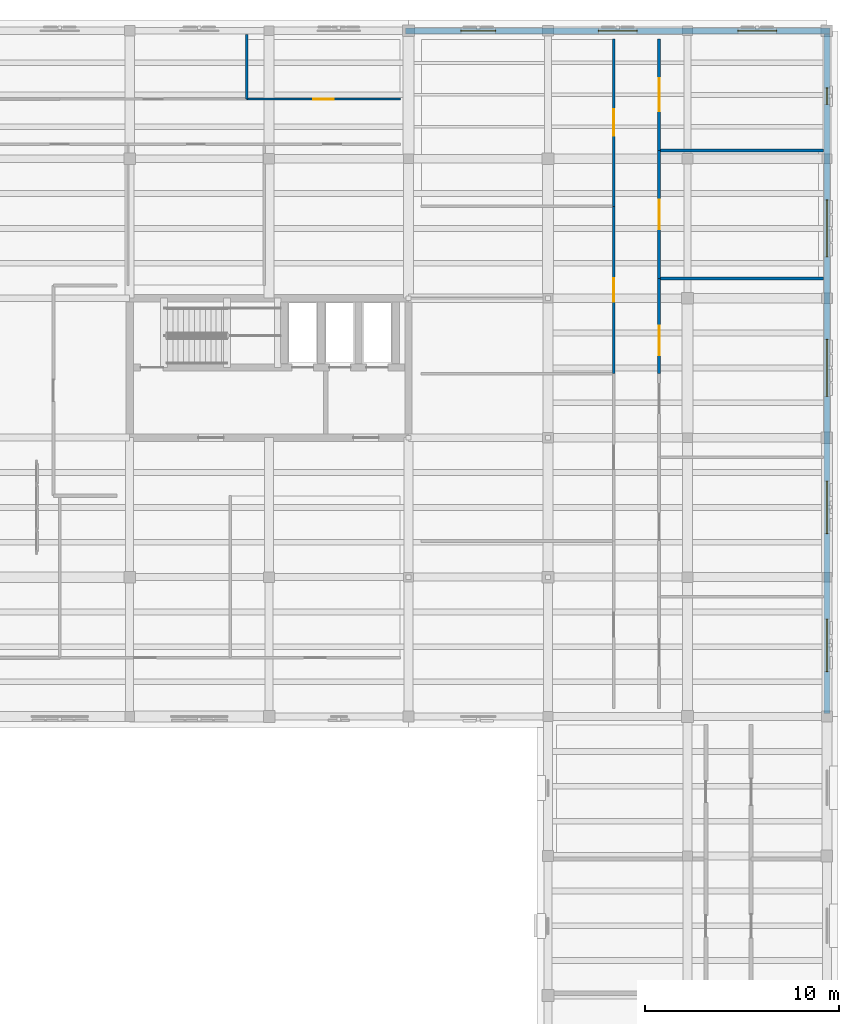
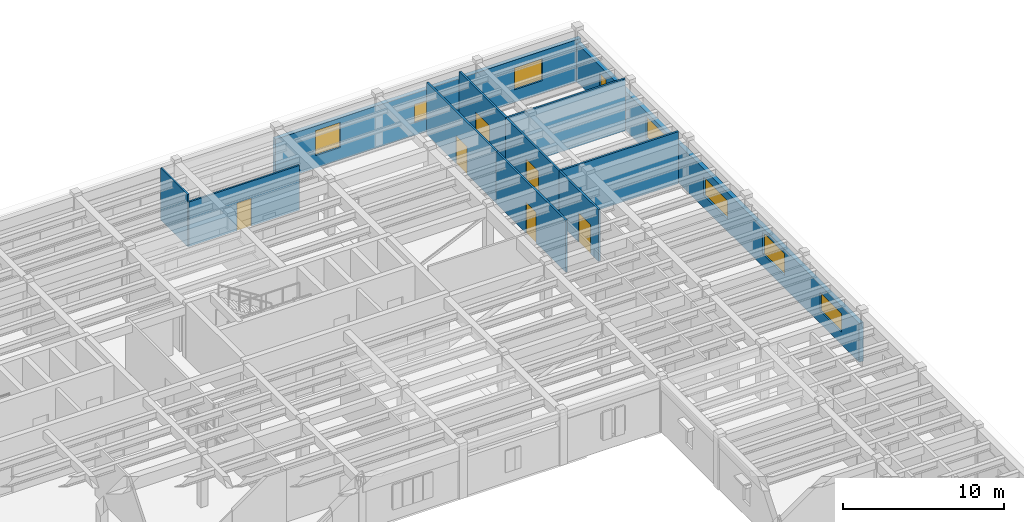
# One storey, part 19 of 27: 11 walls, 8 windows, 6 doors, 14 openings.
"""IFC4 building model written with IfcOpenShell, lengths in metres."""

from ifc_helpers import new_model, si_unit, direction, frame, frame_2d, origin, place, context, subcontext, project, spatial, rectangle, extrude, material, layer, layer_set, type_object, element, fill, save


model = new_model("IFC4")

# Units and contexts
model_context = context("Model", 3, precision=1e-05, world=origin(), true_north=direction((0.0, 1.0)))
body_context = subcontext(model_context, "Body", "Model", "MODEL_VIEW")
ifc_project = project(units=[si_unit("LENGTHUNIT", "METRE"), si_unit("AREAUNIT", "SQUARE_METRE"), si_unit("VOLUMEUNIT", "CUBIC_METRE"), si_unit("PLANEANGLEUNIT", "RADIAN"), si_unit("MASSUNIT", "GRAM", prefix="KILO")], contexts=[model_context])

# Site, building, storey
site_placement = place(None, origin())
site = spatial("IfcSite", under=ifc_project, at=site_placement, CompositionType="ELEMENT")
building_placement = place(site_placement, origin())
building = spatial("IfcBuilding", under=site, at=building_placement, Name="Mithqara Police Headquarters", CompositionType="ELEMENT")
storey_placement = place(building_placement, frame((0.0, 0.0, 18.0)))
storey = spatial("IfcBuildingStorey", under=building, at=storey_placement, Name="L04", CompositionType="ELEMENT", Elevation=18.0)

# Wall, openings, windows
ifc_material_1 = material(Name="Ochre masonry cavity wall, 35 MPa", Category="masonry")
ifc_layer_1 = layer(ifc_material_1, 0.300048828125, Name="Ochre masonry cavity wall, 35 MPa")
ifc_layer_set_1 = layer_set([ifc_layer_1], Name="Ochre masonry cavity wall, 35 MPa")
wall_type_1 = type_object("IfcWallType", Name="EXT WALL OCHRE BRICK300", PredefinedType="SOLIDWALL", material=ifc_layer_set_1)
wall_1_placement = place(storey_placement, frame((166.199951171875, 78.75, 0.0), z_axis=(0.0, 0.0, 1.0), x_axis=(0.0, 1.0, 0.0)))
wall_1 = element("IfcWall", 1, at=wall_1_placement, inside=storey, type_object=wall_type_1, Name="L04 Exterior Wall 4.1", PredefinedType="SOLIDWALL", context=body_context, shape_type="SweptSolid", body=[
    extrude(rectangle(XDim=35.10009765625, YDim=0.300048828125, at=frame_2d((17.550048828125, 0.0))), origin(), (0.0, 0.0, 1.0), 2.93994140625),
])
opening_1_placement = place(wall_1_placement, frame((2.175048828125, 0.0, 0.949951171875)))
opening_1 = element("IfcOpeningElement", 2, at=opening_1_placement, cuts=wall_1, Name="Opening W-51", PredefinedType="OPENING", context=body_context, shape_type="SweptSolid", body=[
    extrude(rectangle(XDim=2.699951171875, YDim=1.39990234375, at=frame_2d((1.35009765625, 0.699951171875))), frame((0.0, 0.16015625, 0.0), z_axis=(0.0, -1.0, 0.0), x_axis=(1.0, 0.0, 0.0)), (0.0, 0.0, 1.0), 0.320068359375),
])
opening_2_placement = place(wall_1_placement, frame((9.300048828125, 0.0, 0.949951171875)))
opening_2 = element("IfcOpeningElement", 3, at=opening_2_placement, cuts=wall_1, Name="Opening W-52", PredefinedType="OPENING", context=body_context, shape_type="SweptSolid", body=[
    extrude(rectangle(XDim=2.699951171875, YDim=1.64990234375, at=frame_2d((1.35009765625, 0.824951171875))), frame((0.0, 0.16015625, 0.0), z_axis=(0.0, -1.0, 0.0), x_axis=(1.0, 0.0, 0.0)), (0.0, 0.0, 1.0), 0.320068359375),
])
opening_3_placement = place(wall_1_placement, frame((16.375, 0.0, 0.949951171875)))
opening_3 = element("IfcOpeningElement", 4, at=opening_3_placement, cuts=wall_1, Name="Opening W-56", PredefinedType="OPENING", context=body_context, shape_type="SweptSolid", body=[
    extrude(rectangle(XDim=2.949951171875, YDim=1.39990234375, at=frame_2d((1.47509765625, 0.699951171875))), frame((0.0, 0.16015625, 0.0), z_axis=(0.0, -1.0, 0.0), x_axis=(1.0, 0.0, 0.0)), (0.0, 0.0, 1.0), 0.320068359375),
])
opening_4_placement = place(wall_1_placement, frame((23.574951171875, 0.0, 0.949951171875)))
opening_4 = element("IfcOpeningElement", 5, at=opening_4_placement, cuts=wall_1, Name="Opening W-57", PredefinedType="OPENING", context=body_context, shape_type="SweptSolid", body=[
    extrude(rectangle(XDim=2.949951171875, YDim=1.64990234375, at=frame_2d((1.47509765625, 0.824951171875))), frame((0.0, 0.16015625, 0.0), z_axis=(0.0, -1.0, 0.0), x_axis=(1.0, 0.0, 0.0)), (0.0, 0.0, 1.0), 0.320068359375),
])
opening_5_placement = place(wall_1_placement, frame((31.449951171875, 0.0, 0.949951171875)))
opening_5 = element("IfcOpeningElement", 6, at=opening_5_placement, cuts=wall_1, Name="Opening W-01", PredefinedType="OPENING", context=body_context, shape_type="SweptSolid", body=[
    extrude(rectangle(XDim=0.85009765625, YDim=1.39990234375, at=frame_2d((0.425048828125, 0.699951171875))), frame((0.0, 0.16015625, 0.0), z_axis=(0.0, -1.0, 0.0), x_axis=(1.0, 0.0, 0.0)), (0.0, 0.0, 1.0), 0.320068359375),
])
ifc_material_2 = material(Name="Spectrally selective double low-e glass", Category="glass")
window_type_1 = type_object("IfcWindowType", Name="WINDOW 2700X1400", PartitioningType="DOUBLE_PANEL_VERTICAL", PredefinedType="WINDOW", material=ifc_material_2)
window_1_placement = place(opening_1_placement, origin())
window_1 = element("IfcWindow", 7, at=window_1_placement, inside=storey, type_object=window_type_1, Name="L04 Command Block Screened Window 4.1", OverallHeight=1.39990234375, OverallWidth=2.699951171875, PartitioningType="SINGLE_PANEL", PredefinedType="WINDOW", context=body_context, shape_type="SweptSolid", body=[
    extrude(rectangle(XDim=2.699951171875, YDim=1.39990234375, at=frame_2d((1.35009765625, 0.699951171875))), frame((0.0, 0.030029296875, 0.0), z_axis=(0.0, -1.0, 0.0), x_axis=(1.0, 0.0, 0.0)), (0.0, 0.0, 1.0), 0.06005859375),
])
fill(opening_1, window_1)
window_type_2 = type_object("IfcWindowType", Name="WINDOW 2700X1650", PartitioningType="DOUBLE_PANEL_VERTICAL", PredefinedType="WINDOW", material=ifc_material_2)
window_2_placement = place(opening_2_placement, origin())
window_2 = element("IfcWindow", 8, at=window_2_placement, inside=storey, type_object=window_type_2, Name="L04 Command Block Screened Window 4.2", OverallHeight=1.64990234375, OverallWidth=2.699951171875, PartitioningType="SINGLE_PANEL", PredefinedType="WINDOW", context=body_context, shape_type="SweptSolid", body=[
    extrude(rectangle(XDim=2.699951171875, YDim=1.64990234375, at=frame_2d((1.35009765625, 0.824951171875))), frame((0.0, 0.030029296875, 0.0), z_axis=(0.0, -1.0, 0.0), x_axis=(1.0, 0.0, 0.0)), (0.0, 0.0, 1.0), 0.06005859375),
])
fill(opening_2, window_2)
window_type_3 = type_object("IfcWindowType", Name="WINDOW 2950X1400", PartitioningType="DOUBLE_PANEL_VERTICAL", PredefinedType="WINDOW", material=ifc_material_2)
window_3_placement = place(opening_3_placement, origin())
window_3 = element("IfcWindow", 9, at=window_3_placement, inside=storey, type_object=window_type_3, Name="L04 Command Block Screened Window 4.3", OverallHeight=1.39990234375, OverallWidth=2.949951171875, PartitioningType="SINGLE_PANEL", PredefinedType="WINDOW", context=body_context, shape_type="SweptSolid", body=[
    extrude(rectangle(XDim=2.949951171875, YDim=1.39990234375, at=frame_2d((1.47509765625, 0.699951171875))), frame((0.0, 0.030029296875, 0.0), z_axis=(0.0, -1.0, 0.0), x_axis=(1.0, 0.0, 0.0)), (0.0, 0.0, 1.0), 0.06005859375),
])
fill(opening_3, window_3)
window_type_4 = type_object("IfcWindowType", Name="WINDOW 2950X1650", PartitioningType="DOUBLE_PANEL_VERTICAL", PredefinedType="WINDOW", material=ifc_material_2)
window_4_placement = place(opening_4_placement, origin())
window_4 = element("IfcWindow", 10, at=window_4_placement, inside=storey, type_object=window_type_4, Name="L04 Command Block Screened Window 4.4", OverallHeight=1.64990234375, OverallWidth=2.949951171875, PartitioningType="SINGLE_PANEL", PredefinedType="WINDOW", context=body_context, shape_type="SweptSolid", body=[
    extrude(rectangle(XDim=2.949951171875, YDim=1.64990234375, at=frame_2d((1.47509765625, 0.824951171875))), frame((0.0, 0.030029296875, 0.0), z_axis=(0.0, -1.0, 0.0), x_axis=(1.0, 0.0, 0.0)), (0.0, 0.0, 1.0), 0.06005859375),
])
fill(opening_4, window_4)
window_type_5 = type_object("IfcWindowType", Name="WINDOW 850X1400", PartitioningType="SINGLE_PANEL", PredefinedType="WINDOW", material=ifc_material_2)
window_5_placement = place(opening_5_placement, origin())
window_5 = element("IfcWindow", 11, at=window_5_placement, inside=storey, type_object=window_type_5, Name="L04 Command Block Screened Window 4.5", OverallHeight=1.39990234375, OverallWidth=0.85009765625, PartitioningType="SINGLE_PANEL", PredefinedType="WINDOW", context=body_context, shape_type="SweptSolid", body=[
    extrude(rectangle(XDim=0.85009765625, YDim=1.39990234375, at=frame_2d((0.425048828125, 0.699951171875))), frame((0.0, 0.030029296875, 0.0), z_axis=(0.0, -1.0, 0.0), x_axis=(1.0, 0.0, 0.0)), (0.0, 0.0, 1.0), 0.06005859375),
])
fill(opening_5, window_5)

wall_2_placement = place(storey_placement, frame((166.35009765625, 114.0, 0.0), z_axis=(0.0, 0.0, 1.0), x_axis=(-1.0, 0.0, 0.0)))
wall_2 = element("IfcWall", 12, at=wall_2_placement, inside=storey, type_object=wall_type_1, Name="L04 Exterior Wall 5.1", PredefinedType="SOLIDWALL", context=body_context, shape_type="SweptSolid", body=[
    extrude(rectangle(XDim=21.900146484375, YDim=0.300048828125, at=frame_2d((10.9501953125, 0.0))), origin(), (0.0, 0.0, 1.0), 3.18994140625),
])
opening_6_placement = place(wall_2_placement, frame((17.25, 0.0, 0.949951171875)))
opening_6 = element("IfcOpeningElement", 13, at=opening_6_placement, cuts=wall_2, Name="Opening W-33", PredefinedType="OPENING", context=body_context, shape_type="SweptSolid", body=[
    extrude(rectangle(XDim=1.800048828125, YDim=1.89990234375, at=frame_2d((0.89990234375, 0.949951171875))), frame((0.0, 0.16015625, 0.0), z_axis=(0.0, -1.0, 0.0), x_axis=(1.0, 0.0, 0.0)), (0.0, 0.0, 1.0), 0.320068359375),
])
opening_7_placement = place(wall_2_placement, frame((9.949951171875, 0.0, 0.949951171875)))
opening_7 = element("IfcOpeningElement", 14, at=opening_7_placement, cuts=wall_2, Name="Opening W-36", PredefinedType="OPENING", context=body_context, shape_type="SweptSolid", body=[
    extrude(rectangle(XDim=2.0, YDim=1.39990234375, at=frame_2d((1.0, 0.699951171875))), frame((0.0, 0.16015625, 0.0), z_axis=(0.0, -1.0, 0.0), x_axis=(1.0, 0.0, 0.0)), (0.0, 0.0, 1.0), 0.320068359375),
])
opening_8_placement = place(wall_2_placement, frame((2.75, 0.0, 0.949951171875)))
opening_8 = element("IfcOpeningElement", 15, at=opening_8_placement, cuts=wall_2, Name="Opening W-37", PredefinedType="OPENING", context=body_context, shape_type="SweptSolid", body=[
    extrude(rectangle(XDim=2.0, YDim=1.64990234375, at=frame_2d((1.0, 0.824951171875))), frame((0.0, 0.16015625, 0.0), z_axis=(0.0, -1.0, 0.0), x_axis=(1.0, 0.0, 0.0)), (0.0, 0.0, 1.0), 0.320068359375),
])
window_type_6 = type_object("IfcWindowType", Name="WINDOW 1800X1900", PartitioningType="DOUBLE_PANEL_VERTICAL", PredefinedType="WINDOW", material=ifc_material_2)
window_6_placement = place(opening_6_placement, origin())
window_6 = element("IfcWindow", 16, at=window_6_placement, inside=storey, type_object=window_type_6, Name="L04 Command Block Screened Window 5.1", OverallHeight=1.89990234375, OverallWidth=1.800048828125, PartitioningType="SINGLE_PANEL", PredefinedType="WINDOW", context=body_context, shape_type="SweptSolid", body=[
    extrude(rectangle(XDim=1.800048828125, YDim=1.89990234375, at=frame_2d((0.89990234375, 0.949951171875))), frame((0.0, 0.030029296875, 0.0), z_axis=(0.0, -1.0, 0.0), x_axis=(1.0, 0.0, 0.0)), (0.0, 0.0, 1.0), 0.06005859375),
])
fill(opening_6, window_6)
window_type_7 = type_object("IfcWindowType", Name="WINDOW 2000X1400", PartitioningType="DOUBLE_PANEL_VERTICAL", PredefinedType="WINDOW", material=ifc_material_2)
window_7_placement = place(opening_7_placement, origin())
window_7 = element("IfcWindow", 17, at=window_7_placement, inside=storey, type_object=window_type_7, Name="L04 Command Block Screened Window 5.2", OverallHeight=1.39990234375, OverallWidth=2.0, PartitioningType="SINGLE_PANEL", PredefinedType="WINDOW", context=body_context, shape_type="SweptSolid", body=[
    extrude(rectangle(XDim=2.0, YDim=1.39990234375, at=frame_2d((1.0, 0.699951171875))), frame((0.0, 0.030029296875, 0.0), z_axis=(0.0, -1.0, 0.0), x_axis=(1.0, 0.0, 0.0)), (0.0, 0.0, 1.0), 0.06005859375),
])
fill(opening_7, window_7)
window_type_8 = type_object("IfcWindowType", Name="WINDOW 2000X1650", PartitioningType="DOUBLE_PANEL_VERTICAL", PredefinedType="WINDOW", material=ifc_material_2)
window_8_placement = place(opening_8_placement, origin())
window_8 = element("IfcWindow", 18, at=window_8_placement, inside=storey, type_object=window_type_8, Name="L04 Command Block Screened Window 5.3", OverallHeight=1.64990234375, OverallWidth=2.0, PartitioningType="SINGLE_PANEL", PredefinedType="WINDOW", context=body_context, shape_type="SweptSolid", body=[
    extrude(rectangle(XDim=2.0, YDim=1.64990234375, at=frame_2d((1.0, 0.824951171875))), frame((0.0, 0.030029296875, 0.0), z_axis=(0.0, -1.0, 0.0), x_axis=(1.0, 0.0, 0.0)), (0.0, 0.0, 1.0), 0.06005859375),
])
fill(opening_8, window_8)

# Wall
ifc_material_3 = material(Name="Gypsum acoustic stud partition", Category="gypsum")
ifc_layer_2 = layer(ifc_material_3, 0.1201171875, Name="Gypsum acoustic stud partition")
ifc_layer_set_2 = layer_set([ifc_layer_2], Name="Gypsum acoustic stud partition")
wall_type_2 = type_object("IfcWallType", Name="PART WALL 120", PredefinedType="PARTITIONING", material=ifc_layer_set_2)
wall_3_placement = place(storey_placement, frame((136.239990234375, 110.47998046875, 0.0), z_axis=(0.0, 0.0, 1.0), x_axis=(0.0, 1.0, 0.0)))
element("IfcWall", 19, at=wall_3_placement, inside=storey, type_object=wall_type_2, Name="L04 Room Partition Forensic Accounting Room", PredefinedType="PARTITIONING", context=body_context, shape_type="SweptSolid", body=[
    extrude(rectangle(XDim=3.340087890625, YDim=0.1201171875, at=frame_2d((1.669921875, 0.0))), origin(), (0.0, 0.0, 1.0), 3.93994140625),
])

# Wall, opening, door
wall_4_placement = place(storey_placement, frame((136.239990234375, 110.47998046875, 0.0), z_axis=(0.0, 0.0, 1.0), x_axis=(1.0, 0.0, 0.0)))
wall_4 = element("IfcWall", 20, at=wall_4_placement, inside=storey, type_object=wall_type_2, Name="L04 Corridor Wall Financial Crime Investigation Office", PredefinedType="PARTITIONING", context=body_context, shape_type="SweptSolid", body=[
    extrude(rectangle(XDim=7.93994140625, YDim=0.1201171875, at=frame_2d((3.969970703125, 0.0))), origin(), (0.0, 0.0, 1.0), 3.389892578125),
])
opening_9_placement = place(wall_4_placement, frame((3.449951171875, 0.0, 0.0)))
opening_9 = element("IfcOpeningElement", 21, at=opening_9_placement, cuts=wall_4, Name="Opening D-07", PredefinedType="OPENING", context=body_context, shape_type="SweptSolid", body=[
    extrude(rectangle(XDim=1.0400390625, YDim=2.10009765625, at=frame_2d((0.52001953125, 1.050048828125))), frame((0.0, 0.070068359375, 0.0), z_axis=(0.0, -1.0, 0.0), x_axis=(1.0, 0.0, 0.0)), (0.0, 0.0, 1.0), 0.14013671875),
])
ifc_material_4 = material(Name="Acoustic solid-core timber leaf", Category="wood")
door_type_1 = type_object("IfcDoorType", Name="INT DOOR 1040X2100", OperationType="NOTDEFINED", PredefinedType="DOOR", material=ifc_material_4)
door_1_placement = place(opening_9_placement, origin())
door_1 = element("IfcDoor", 22, at=door_1_placement, inside=storey, type_object=door_type_1, Name="Financial Crime Investigation Office Entry Door", OperationType="SINGLE_SWING_RIGHT", OverallHeight=2.10009765625, OverallWidth=1.0400390625, PredefinedType="DOOR", context=body_context, shape_type="SweptSolid", body=[
    extrude(rectangle(XDim=1.0400390625, YDim=2.10009765625, at=frame_2d((0.52001953125, 1.050048828125))), frame((0.0, 0.02490234375, 0.0), z_axis=(0.0, -1.0, 0.0), x_axis=(1.0, 0.0, 0.0)), (0.0, 0.0, 1.0), 0.050048828125),
])
fill(opening_9, door_1)

ifc_layer_3 = layer(ifc_material_3, 0.139892578125, Name="Gypsum acoustic stud partition")
ifc_layer_set_3 = layer_set([ifc_layer_3], Name="Gypsum acoustic stud partition")
wall_type_3 = type_object("IfcWallType", Name="PART WALL 140", PredefinedType="PARTITIONING", material=ifc_layer_set_3)
wall_5_placement = place(storey_placement, frame((155.195068359375, 96.300048828125, 0.0), z_axis=(0.0, 0.0, 1.0), x_axis=(0.0, 1.0, 0.0)))
wall_5 = element("IfcWall", 23, at=wall_5_placement, inside=storey, type_object=wall_type_3, Name="L04 Corridor Wall Male Staff WC", PredefinedType="PARTITIONING", context=body_context, shape_type="SweptSolid", body=[
    extrude(rectangle(XDim=8.639892578125, YDim=0.139892578125, at=frame_2d((4.31982421875, 0.0))), origin(), (0.0, 0.0, 1.0), 3.93994140625),
])
opening_10_placement = place(wall_5_placement, frame((3.7099609375, 0.0, 0.0)))
opening_10 = element("IfcOpeningElement", 24, at=opening_10_placement, cuts=wall_5, Name="Opening D-15", PredefinedType="OPENING", context=body_context, shape_type="SweptSolid", body=[
    extrude(rectangle(XDim=1.219970703125, YDim=2.35009765625, at=frame_2d((0.60986328125, 1.175048828125))), frame((0.0, 0.080078125, 0.0), z_axis=(0.0, -1.0, 0.0), x_axis=(1.0, 0.0, 0.0)), (0.0, 0.0, 1.0), 0.159912109375),
])
door_type_2 = type_object("IfcDoorType", Name="INT DOOR 1220X2350", OperationType="NOTDEFINED", PredefinedType="DOOR", material=ifc_material_4)
door_2_placement = place(opening_10_placement, frame((1.219970703125, 0.0, 0.0), z_axis=(0.0, 0.0, 1.0), x_axis=(-1.0, 0.0, 0.0)))
door_2 = element("IfcDoor", 25, at=door_2_placement, inside=storey, type_object=door_type_2, Name="Male Staff WC Entry Door", OperationType="SINGLE_SWING_RIGHT", OverallHeight=2.35009765625, OverallWidth=1.219970703125, PredefinedType="DOOR", context=body_context, shape_type="SweptSolid", body=[
    extrude(rectangle(XDim=1.219970703125, YDim=2.35009765625, at=frame_2d((0.60986328125, 1.175048828125))), frame((0.0, 0.02490234375, 0.0), z_axis=(0.0, -1.0, 0.0), x_axis=(1.0, 0.0, 0.0)), (0.0, 0.0, 1.0), 0.050048828125),
])
fill(opening_10, door_2)

wall_6_placement = place(storey_placement, frame((155.195068359375, 104.93994140625, 0.0), z_axis=(0.0, 0.0, 1.0), x_axis=(0.0, 1.0, 0.0)))
wall_6 = element("IfcWall", 26, at=wall_6_placement, inside=storey, type_object=wall_type_3, Name="L04 Corridor Wall Female Staff WC", PredefinedType="PARTITIONING", context=body_context, shape_type="SweptSolid", body=[
    extrude(rectangle(XDim=8.64013671875, YDim=0.139892578125, at=frame_2d((4.320068359375, 0.0))), origin(), (0.0, 0.0, 1.0), 3.93994140625),
])
opening_11_placement = place(wall_6_placement, frame((3.639892578125, 0.0, 0.0)))
opening_11 = element("IfcOpeningElement", 27, at=opening_11_placement, cuts=wall_6, Name="Opening D-16", PredefinedType="OPENING", context=body_context, shape_type="SweptSolid", body=[
    extrude(rectangle(XDim=1.360107421875, YDim=2.10009765625, at=frame_2d((0.68017578125, 1.050048828125))), frame((0.0, 0.080078125, 0.0), z_axis=(0.0, -1.0, 0.0), x_axis=(1.0, 0.0, 0.0)), (0.0, 0.0, 1.0), 0.159912109375),
])
ifc_material_5 = material(Name="Bronze anodised aluminium 6063-T6", Category="aluminium")
door_type_3 = type_object("IfcDoorType", Name="INT DOOR 1360X2100", OperationType="NOTDEFINED", PredefinedType="DOOR", material=ifc_material_5)
door_3_placement = place(opening_11_placement, frame((1.360107421875, 0.0, 0.0), z_axis=(0.0, 0.0, 1.0), x_axis=(-1.0, 0.0, 0.0)))
door_3 = element("IfcDoor", 28, at=door_3_placement, inside=storey, type_object=door_type_3, Name="Female Staff WC Entry Door", OperationType="SINGLE_SWING_LEFT", OverallHeight=2.10009765625, OverallWidth=1.360107421875, PredefinedType="DOOR", context=body_context, shape_type="SweptSolid", body=[
    extrude(rectangle(XDim=1.360107421875, YDim=2.10009765625, at=frame_2d((0.68017578125, 1.050048828125))), frame((0.0, 0.02490234375, 0.0), z_axis=(0.0, -1.0, 0.0), x_axis=(1.0, 0.0, 0.0)), (0.0, 0.0, 1.0), 0.050048828125),
])
fill(opening_11, door_3)

wall_7_placement = place(storey_placement, frame((157.534912109375, 96.300048828125, 0.0), z_axis=(0.0, 0.0, 1.0), x_axis=(0.0, 1.0, 0.0)))
wall_7 = element("IfcWall", 29, at=wall_7_placement, inside=storey, type_object=wall_type_3, Name="L04 Corridor Wall International Cooperation Desk", PredefinedType="PARTITIONING", context=body_context, shape_type="SweptSolid", body=[
    extrude(rectangle(XDim=4.909912109375, YDim=0.139892578125, at=frame_2d((2.455078125, 0.0))), origin(), (0.0, 0.0, 1.0), 3.93994140625),
])
opening_12_placement = place(wall_7_placement, frame((0.95849609375, 0.0, 0.0)))
opening_12 = element("IfcOpeningElement", 30, at=opening_12_placement, cuts=wall_7, Name="Opening D-20", PredefinedType="OPENING", context=body_context, shape_type="SweptSolid", body=[
    extrude(rectangle(XDim=1.52001953125, YDim=2.219970703125, at=frame_2d((0.760009765625, 1.10986328125))), frame((0.0, 0.080078125, 0.0), z_axis=(0.0, -1.0, 0.0), x_axis=(1.0, 0.0, 0.0)), (0.0, 0.0, 1.0), 0.159912109375),
])
door_type_4 = type_object("IfcDoorType", Name="INT DOOR 1520X2220", OperationType="NOTDEFINED", PredefinedType="DOOR", material=ifc_material_5)
door_4_placement = place(opening_12_placement, origin())
door_4 = element("IfcDoor", 31, at=door_4_placement, inside=storey, type_object=door_type_4, Name="International Cooperation Desk Entry Door", OperationType="DOUBLE_DOOR_SINGLE_SWING", OverallHeight=2.219970703125, OverallWidth=1.52001953125, PredefinedType="DOOR", context=body_context, shape_type="SweptSolid", body=[
    extrude(rectangle(XDim=1.52001953125, YDim=2.219970703125, at=frame_2d((0.760009765625, 1.10986328125))), frame((0.0, 0.02490234375, 0.0), z_axis=(0.0, -1.0, 0.0), x_axis=(1.0, 0.0, 0.0)), (0.0, 0.0, 1.0), 0.050048828125),
])
fill(opening_12, door_4)

# Wall
wall_8_placement = place(storey_placement, frame((157.534912109375, 101.2099609375, 0.0), z_axis=(0.0, 0.0, 1.0), x_axis=(1.0, 0.0, 0.0)))
element("IfcWall", 32, at=wall_8_placement, inside=storey, type_object=wall_type_3, Name="L04 Room Partition International Cooperation Desk", PredefinedType="PARTITIONING", context=body_context, shape_type="SweptSolid", body=[
    extrude(rectangle(XDim=8.485107421875, YDim=0.139892578125, at=frame_2d((4.24267578125, 0.0))), origin(), (0.0, 0.0, 1.0), 3.93994140625),
])

# Wall, opening, door
wall_9_placement = place(storey_placement, frame((157.534912109375, 101.2099609375, 0.0), z_axis=(0.0, 0.0, 1.0), x_axis=(0.0, 1.0, 0.0)))
wall_9 = element("IfcWall", 33, at=wall_9_placement, inside=storey, type_object=wall_type_3, Name="L04 Corridor Wall Female Staff WC", PredefinedType="PARTITIONING", context=body_context, shape_type="SweptSolid", body=[
    extrude(rectangle(XDim=6.610107421875, YDim=0.139892578125, at=frame_2d((3.30517578125, 0.0))), origin(), (0.0, 0.0, 1.0), 3.93994140625),
])
opening_13_placement = place(wall_9_placement, frame((2.544921875, 0.0, 0.0)))
opening_13 = element("IfcOpeningElement", 34, at=opening_13_placement, cuts=wall_9, Name="Opening D-21", PredefinedType="OPENING", context=body_context, shape_type="SweptSolid", body=[
    extrude(rectangle(XDim=1.52001953125, YDim=2.35009765625, at=frame_2d((0.760009765625, 1.175048828125))), frame((0.0, 0.080078125, 0.0), z_axis=(0.0, -1.0, 0.0), x_axis=(1.0, 0.0, 0.0)), (0.0, 0.0, 1.0), 0.159912109375),
])
door_type_5 = type_object("IfcDoorType", Name="INT DOOR 1520X2350", OperationType="NOTDEFINED", PredefinedType="DOOR", material=ifc_material_5)
door_5_placement = place(opening_13_placement, origin())
door_5 = element("IfcDoor", 35, at=door_5_placement, inside=storey, type_object=door_type_5, Name="Female Staff WC Entry Door", OperationType="DOUBLE_DOOR_SINGLE_SWING", OverallHeight=2.35009765625, OverallWidth=1.52001953125, PredefinedType="DOOR", context=body_context, shape_type="SweptSolid", body=[
    extrude(rectangle(XDim=1.52001953125, YDim=2.35009765625, at=frame_2d((0.760009765625, 1.175048828125))), frame((0.0, 0.02490234375, 0.0), z_axis=(0.0, -1.0, 0.0), x_axis=(1.0, 0.0, 0.0)), (0.0, 0.0, 1.0), 0.050048828125),
])
fill(opening_13, door_5)

# Wall
wall_10_placement = place(storey_placement, frame((157.534912109375, 107.820068359375, 0.0), z_axis=(0.0, 0.0, 1.0), x_axis=(1.0, 0.0, 0.0)))
element("IfcWall", 36, at=wall_10_placement, inside=storey, type_object=wall_type_3, Name="L04 Room Partition Female Staff WC", PredefinedType="PARTITIONING", context=body_context, shape_type="SweptSolid", body=[
    extrude(rectangle(XDim=8.485107421875, YDim=0.139892578125, at=frame_2d((4.24267578125, 0.0))), origin(), (0.0, 0.0, 1.0), 3.93994140625),
])

# Wall, opening, door
wall_11_placement = place(storey_placement, frame((157.534912109375, 107.820068359375, 0.0), z_axis=(0.0, 0.0, 1.0), x_axis=(0.0, 1.0, 0.0)))
wall_11 = element("IfcWall", 37, at=wall_11_placement, inside=storey, type_object=wall_type_3, Name="L04 Corridor Wall Accessible WC", PredefinedType="PARTITIONING", context=body_context, shape_type="SweptSolid", body=[
    extrude(rectangle(XDim=5.760009765625, YDim=0.139892578125, at=frame_2d((2.8798828125, 0.0))), origin(), (0.0, 0.0, 1.0), 3.93994140625),
])
opening_14_placement = place(wall_11_placement, frame((2.02001953125, 0.0, 0.0)))
opening_14 = element("IfcOpeningElement", 38, at=opening_14_placement, cuts=wall_11, Name="Opening D-22", PredefinedType="OPENING", context=body_context, shape_type="SweptSolid", body=[
    extrude(rectangle(XDim=1.719970703125, YDim=2.10009765625, at=frame_2d((0.85986328125, 1.050048828125))), frame((0.0, 0.080078125, 0.0), z_axis=(0.0, -1.0, 0.0), x_axis=(1.0, 0.0, 0.0)), (0.0, 0.0, 1.0), 0.159912109375),
])
door_type_6 = type_object("IfcDoorType", Name="INT DOOR 1720X2100", OperationType="NOTDEFINED", PredefinedType="DOOR", material=ifc_material_5)
door_6_placement = place(opening_14_placement, origin())
door_6 = element("IfcDoor", 39, at=door_6_placement, inside=storey, type_object=door_type_6, Name="Accessible WC Entry Door", OperationType="DOUBLE_DOOR_SINGLE_SWING", OverallHeight=2.10009765625, OverallWidth=1.719970703125, PredefinedType="DOOR", context=body_context, shape_type="SweptSolid", body=[
    extrude(rectangle(XDim=1.719970703125, YDim=2.10009765625, at=frame_2d((0.85986328125, 1.050048828125))), frame((0.0, 0.02490234375, 0.0), z_axis=(0.0, -1.0, 0.0), x_axis=(1.0, 0.0, 0.0)), (0.0, 0.0, 1.0), 0.050048828125),
])
fill(opening_14, door_6)

save(model, "model.ifc")
